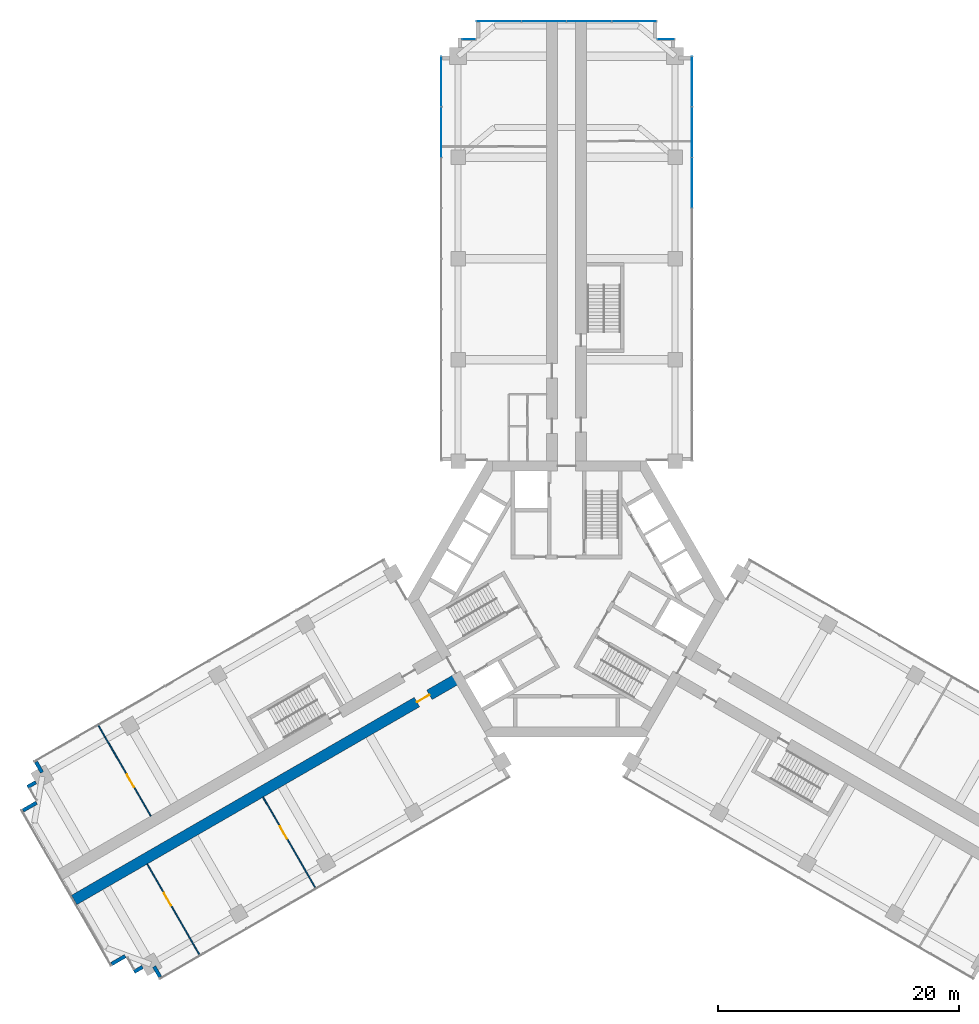
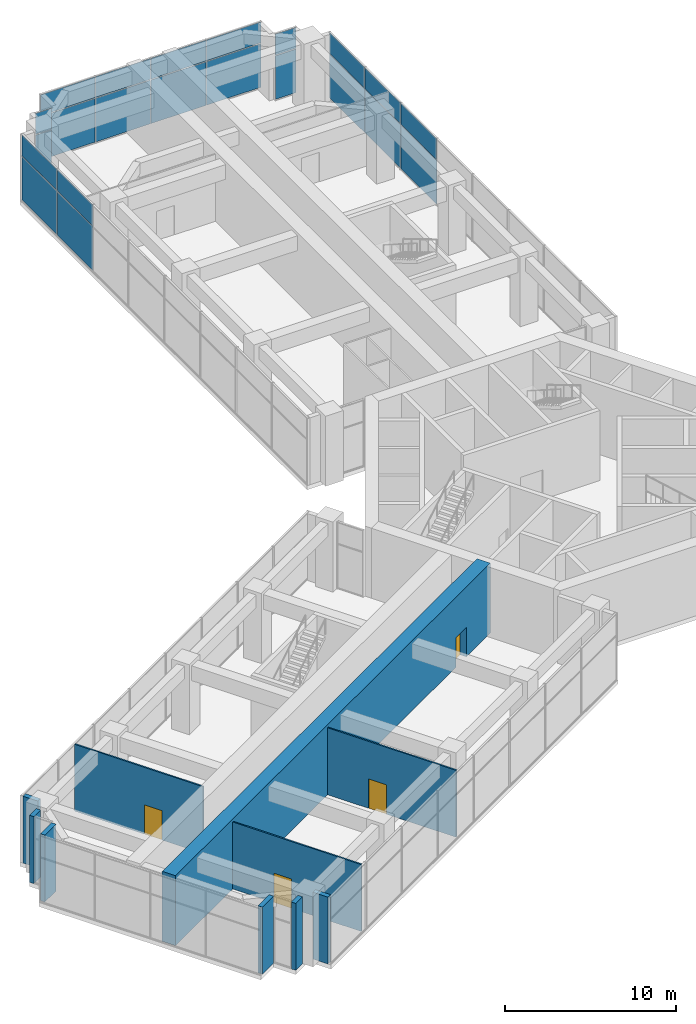
# One storey, part 15 of 20: 22 plates, 10 walls, 4 doors, 4 openings, 5 elements without a shape of their own.
"""IFC4 building model written with IfcOpenShell, lengths in metres."""

from ifc_helpers import new_model, si_unit, direction, frame, frame_2d, origin, origin_2d, place, context, subcontext, project, spatial, rectangle, extrude, material, layer, layer_set, type_object, element, fill, aggregate, save


model = new_model("IFC4")

# Units and contexts
model_context = context("Model", 3, precision=1e-05, world=origin(), true_north=direction((0.0, 1.0)))
body_context = subcontext(model_context, "Body", "Model", "MODEL_VIEW")
ifc_project = project(units=[si_unit("LENGTHUNIT", "METRE"), si_unit("AREAUNIT", "SQUARE_METRE"), si_unit("VOLUMEUNIT", "CUBIC_METRE"), si_unit("PLANEANGLEUNIT", "RADIAN"), si_unit("MASSUNIT", "GRAM", prefix="KILO")], contexts=[model_context])

# Site, building, storey
site_placement = place(None, origin())
site = spatial("IfcSite", under=ifc_project, at=site_placement, CompositionType="ELEMENT")
building_placement = place(site_placement, origin())
building = spatial("IfcBuilding", under=site, at=building_placement, Name="Impinga Residences", CompositionType="ELEMENT")
storey_placement = place(building_placement, frame((0.0, 0.0, 101.0)))
storey = spatial("IfcBuildingStorey", under=building, at=storey_placement, Name="L24", CompositionType="ELEMENT", Elevation=101.0)

# Curtain wall, plates
ifc_material_1 = material(Name="Aluminium stick curtain wall", Category="aluminium")
curtain_wall_type = type_object("IfcCurtainWallType", Name="CW2 sky amenity curtain wall", PredefinedType="USERDEFINED", material=ifc_material_1)
curtain_wall_1_placement = place(storey_placement, origin())
curtain_wall_1 = element("IfcCurtainWall", 1, at=curtain_wall_1_placement, inside=storey, type_object=curtain_wall_type, Name="Curtain wall CW2 L24", ObjectType="STICK CURTAIN WALL", PredefinedType="USERDEFINED")
ifc_material_2 = material(Name="Clear double glazing", Category="glass")
ifc_layer_1 = layer(ifc_material_2, 0.028076171875)
ifc_layer_set_1 = layer_set([ifc_layer_1], Name="CW2-P clear double glazed panel 28")
plate_type = type_object("IfcPlateType", Name="CW2-P clear double glazed panel 28", PredefinedType="CURTAIN_PANEL", material=ifc_layer_set_1)
plate_1_placement = place(storey_placement, frame((-10.39990234375, 38.7314453125, 0.06005859375), z_axis=(0.0, 0.0, 1.0), x_axis=(0.0, 1.0, 0.0)))
plate_1 = element("IfcPlate", 2, at=plate_1_placement, type_object=plate_type, Name="CW2 panel 7.1", PredefinedType="CURTAIN_PANEL", context=body_context, shape_type="SweptSolid", body=[
    extrude(rectangle(XDim=4.139892578125, YDim=0.028076171875, at=origin_2d()), origin(), (0.0, 0.0, 1.0), 3.110107421875),
])
plate_2_placement = place(storey_placement, frame((-10.39990234375, 38.7314453125, 3.22998046875), z_axis=(0.0, 0.0, 1.0), x_axis=(0.0, 1.0, 0.0)))
plate_2 = element("IfcPlate", 3, at=plate_2_placement, type_object=plate_type, Name="CW2 panel 7.2", PredefinedType="CURTAIN_PANEL", context=body_context, shape_type="SweptSolid", body=[
    extrude(rectangle(XDim=4.139892578125, YDim=0.028076171875, at=origin_2d()), origin(), (0.0, 0.0, 1.0), 1.489990234375),
])
plate_3_placement = place(storey_placement, frame((-10.39990234375, 42.91650390625, 0.06005859375), z_axis=(0.0, 0.0, 1.0), x_axis=(0.0, 1.0, 0.0)))
plate_3 = element("IfcPlate", 4, at=plate_3_placement, type_object=plate_type, Name="CW2 panel 8.1", PredefinedType="CURTAIN_PANEL", context=body_context, shape_type="SweptSolid", body=[
    extrude(rectangle(XDim=4.110107421875, YDim=0.028076171875, at=origin_2d()), origin(), (0.0, 0.0, 1.0), 3.110107421875),
])
plate_4_placement = place(storey_placement, frame((-10.39990234375, 42.91650390625, 3.22998046875), z_axis=(0.0, 0.0, 1.0), x_axis=(0.0, 1.0, 0.0)))
plate_4 = element("IfcPlate", 5, at=plate_4_placement, type_object=plate_type, Name="CW2 panel 8.2", PredefinedType="CURTAIN_PANEL", context=body_context, shape_type="SweptSolid", body=[
    extrude(rectangle(XDim=4.110107421875, YDim=0.028076171875, at=origin_2d()), origin(), (0.0, 0.0, 1.0), 1.489990234375),
])
aggregate(curtain_wall_1, [plate_1, plate_2, plate_3, plate_4])

curtain_wall_2_placement = place(storey_placement, origin())
curtain_wall_2 = element("IfcCurtainWall", 6, at=curtain_wall_2_placement, inside=storey, type_object=curtain_wall_type, Name="Curtain wall CW2 L24", ObjectType="STICK CURTAIN WALL", PredefinedType="USERDEFINED")
plate_5_placement = place(storey_placement, frame((-8.10009765625, 46.431640625, 0.06005859375), z_axis=(0.0, 0.0, 1.0), x_axis=(1.0, 0.0, 0.0)))
plate_5 = element("IfcPlate", 7, at=plate_5_placement, type_object=plate_type, Name="CW2 panel 1.1", PredefinedType="CURTAIN_PANEL", context=body_context, shape_type="SweptSolid", body=[
    extrude(rectangle(XDim=1.080078125, YDim=0.028076171875, at=origin_2d()), origin(), (0.0, 0.0, 1.0), 3.110107421875),
])
plate_6_placement = place(storey_placement, frame((-8.10009765625, 46.431640625, 3.22998046875), z_axis=(0.0, 0.0, 1.0), x_axis=(1.0, 0.0, 0.0)))
plate_6 = element("IfcPlate", 8, at=plate_6_placement, type_object=plate_type, Name="CW2 panel 1.2", PredefinedType="CURTAIN_PANEL", context=body_context, shape_type="SweptSolid", body=[
    extrude(rectangle(XDim=1.080078125, YDim=0.028076171875, at=origin_2d()), origin(), (0.0, 0.0, 1.0), 1.489990234375),
])
aggregate(curtain_wall_2, [plate_5, plate_6])

curtain_wall_3_placement = place(storey_placement, origin())
curtain_wall_3 = element("IfcCurtainWall", 9, at=curtain_wall_3_placement, inside=storey, type_object=curtain_wall_type, Name="Curtain wall CW2 L24", ObjectType="STICK CURTAIN WALL", PredefinedType="USERDEFINED")
plate_7_placement = place(storey_placement, frame((-5.610107421875, 47.931640625, 0.06005859375), z_axis=(0.0, 0.0, 1.0), x_axis=(1.0, 0.0, 0.0)))
plate_7 = element("IfcPlate", 10, at=plate_7_placement, type_object=plate_type, Name="CW2 panel 1.1", PredefinedType="CURTAIN_PANEL", context=body_context, shape_type="SweptSolid", body=[
    extrude(rectangle(XDim=3.659912109375, YDim=0.028076171875, at=origin_2d()), origin(), (0.0, 0.0, 1.0), 3.110107421875),
])
plate_8_placement = place(storey_placement, frame((-5.610107421875, 47.931640625, 3.22998046875), z_axis=(0.0, 0.0, 1.0), x_axis=(1.0, 0.0, 0.0)))
plate_8 = element("IfcPlate", 11, at=plate_8_placement, type_object=plate_type, Name="CW2 panel 1.2", PredefinedType="CURTAIN_PANEL", context=body_context, shape_type="SweptSolid", body=[
    extrude(rectangle(XDim=3.659912109375, YDim=0.028076171875, at=origin_2d()), origin(), (0.0, 0.0, 1.0), 1.489990234375),
])
plate_9_placement = place(storey_placement, frame((-1.875, 47.931640625, 0.06005859375), z_axis=(0.0, 0.0, 1.0), x_axis=(1.0, 0.0, 0.0)))
plate_9 = element("IfcPlate", 12, at=plate_9_placement, type_object=plate_type, Name="CW2 panel 2.1", PredefinedType="CURTAIN_PANEL", context=body_context, shape_type="SweptSolid", body=[
    extrude(rectangle(XDim=3.68994140625, YDim=0.028076171875, at=origin_2d()), origin(), (0.0, 0.0, 1.0), 3.110107421875),
])
plate_10_placement = place(storey_placement, frame((-1.875, 47.931640625, 3.22998046875), z_axis=(0.0, 0.0, 1.0), x_axis=(1.0, 0.0, 0.0)))
plate_10 = element("IfcPlate", 13, at=plate_10_placement, type_object=plate_type, Name="CW2 panel 2.2", PredefinedType="CURTAIN_PANEL", context=body_context, shape_type="SweptSolid", body=[
    extrude(rectangle(XDim=3.68994140625, YDim=0.028076171875, at=origin_2d()), origin(), (0.0, 0.0, 1.0), 1.489990234375),
])
plate_11_placement = place(storey_placement, frame((1.875, 47.931640625, 0.06005859375), z_axis=(0.0, 0.0, 1.0), x_axis=(1.0, 0.0, 0.0)))
plate_11 = element("IfcPlate", 14, at=plate_11_placement, type_object=plate_type, Name="CW2 panel 3.1", PredefinedType="CURTAIN_PANEL", context=body_context, shape_type="SweptSolid", body=[
    extrude(rectangle(XDim=3.68994140625, YDim=0.028076171875, at=origin_2d()), origin(), (0.0, 0.0, 1.0), 3.110107421875),
])
plate_12_placement = place(storey_placement, frame((1.875, 47.931640625, 3.22998046875), z_axis=(0.0, 0.0, 1.0), x_axis=(1.0, 0.0, 0.0)))
plate_12 = element("IfcPlate", 15, at=plate_12_placement, type_object=plate_type, Name="CW2 panel 3.2", PredefinedType="CURTAIN_PANEL", context=body_context, shape_type="SweptSolid", body=[
    extrude(rectangle(XDim=3.68994140625, YDim=0.028076171875, at=origin_2d()), origin(), (0.0, 0.0, 1.0), 1.489990234375),
])
plate_13_placement = place(storey_placement, frame((5.610107421875, 47.931640625, 0.06005859375), z_axis=(0.0, 0.0, 1.0), x_axis=(1.0, 0.0, 0.0)))
plate_13 = element("IfcPlate", 16, at=plate_13_placement, type_object=plate_type, Name="CW2 panel 4.1", PredefinedType="CURTAIN_PANEL", context=body_context, shape_type="SweptSolid", body=[
    extrude(rectangle(XDim=3.659912109375, YDim=0.028076171875, at=origin_2d()), origin(), (0.0, 0.0, 1.0), 3.110107421875),
])
plate_14_placement = place(storey_placement, frame((5.610107421875, 47.931640625, 3.22998046875), z_axis=(0.0, 0.0, 1.0), x_axis=(1.0, 0.0, 0.0)))
plate_14 = element("IfcPlate", 17, at=plate_14_placement, type_object=plate_type, Name="CW2 panel 4.2", PredefinedType="CURTAIN_PANEL", context=body_context, shape_type="SweptSolid", body=[
    extrude(rectangle(XDim=3.659912109375, YDim=0.028076171875, at=origin_2d()), origin(), (0.0, 0.0, 1.0), 1.489990234375),
])
aggregate(curtain_wall_3, [plate_7, plate_8, plate_9, plate_10, plate_11, plate_12, plate_13, plate_14])

curtain_wall_4_placement = place(storey_placement, origin())
curtain_wall_4 = element("IfcCurtainWall", 18, at=curtain_wall_4_placement, inside=storey, type_object=curtain_wall_type, Name="Curtain wall CW2 L24", ObjectType="STICK CURTAIN WALL", PredefinedType="USERDEFINED")
plate_15_placement = place(storey_placement, frame((8.25, 46.431640625, 0.06005859375), z_axis=(0.0, 0.0, 1.0), x_axis=(1.0, 0.0, 0.0)))
plate_15 = element("IfcPlate", 19, at=plate_15_placement, type_object=plate_type, Name="CW2 panel 1.1", PredefinedType="CURTAIN_PANEL", context=body_context, shape_type="SweptSolid", body=[
    extrude(rectangle(XDim=1.3798828125, YDim=0.028076171875, at=origin_2d()), origin(), (0.0, 0.0, 1.0), 3.110107421875),
])
plate_16_placement = place(storey_placement, frame((8.25, 46.431640625, 3.22998046875), z_axis=(0.0, 0.0, 1.0), x_axis=(1.0, 0.0, 0.0)))
plate_16 = element("IfcPlate", 20, at=plate_16_placement, type_object=plate_type, Name="CW2 panel 1.2", PredefinedType="CURTAIN_PANEL", context=body_context, shape_type="SweptSolid", body=[
    extrude(rectangle(XDim=1.3798828125, YDim=0.028076171875, at=origin_2d()), origin(), (0.0, 0.0, 1.0), 1.489990234375),
])
aggregate(curtain_wall_4, [plate_15, plate_16])

curtain_wall_5_placement = place(storey_placement, origin())
curtain_wall_5 = element("IfcCurtainWall", 21, at=curtain_wall_5_placement, inside=storey, type_object=curtain_wall_type, Name="Curtain wall CW2 L24", ObjectType="STICK CURTAIN WALL", PredefinedType="USERDEFINED")
plate_17_placement = place(storey_placement, frame((10.39990234375, 42.91650390625, 0.06005859375), z_axis=(0.0, 0.0, 1.0), x_axis=(0.0, -1.0, 0.0)))
plate_17 = element("IfcPlate", 22, at=plate_17_placement, type_object=plate_type, Name="CW2 panel 1.1", PredefinedType="CURTAIN_PANEL", context=body_context, shape_type="SweptSolid", body=[
    extrude(rectangle(XDim=4.110107421875, YDim=0.028076171875, at=origin_2d()), origin(), (0.0, 0.0, 1.0), 3.110107421875),
])
plate_18_placement = place(storey_placement, frame((10.39990234375, 42.91650390625, 3.22998046875), z_axis=(0.0, 0.0, 1.0), x_axis=(0.0, -1.0, 0.0)))
plate_18 = element("IfcPlate", 23, at=plate_18_placement, type_object=plate_type, Name="CW2 panel 1.2", PredefinedType="CURTAIN_PANEL", context=body_context, shape_type="SweptSolid", body=[
    extrude(rectangle(XDim=4.110107421875, YDim=0.028076171875, at=origin_2d()), origin(), (0.0, 0.0, 1.0), 1.489990234375),
])
plate_19_placement = place(storey_placement, frame((10.39990234375, 38.7314453125, 0.06005859375), z_axis=(0.0, 0.0, 1.0), x_axis=(0.0, -1.0, 0.0)))
plate_19 = element("IfcPlate", 24, at=plate_19_placement, type_object=plate_type, Name="CW2 panel 2.1", PredefinedType="CURTAIN_PANEL", context=body_context, shape_type="SweptSolid", body=[
    extrude(rectangle(XDim=4.139892578125, YDim=0.028076171875, at=origin_2d()), origin(), (0.0, 0.0, 1.0), 3.110107421875),
])
plate_20_placement = place(storey_placement, frame((10.39990234375, 38.7314453125, 3.22998046875), z_axis=(0.0, 0.0, 1.0), x_axis=(0.0, -1.0, 0.0)))
plate_20 = element("IfcPlate", 25, at=plate_20_placement, type_object=plate_type, Name="CW2 panel 2.2", PredefinedType="CURTAIN_PANEL", context=body_context, shape_type="SweptSolid", body=[
    extrude(rectangle(XDim=4.139892578125, YDim=0.028076171875, at=origin_2d()), origin(), (0.0, 0.0, 1.0), 1.489990234375),
])
plate_21_placement = place(storey_placement, frame((10.39990234375, 34.531494140625, 0.06005859375), z_axis=(0.0, 0.0, 1.0), x_axis=(0.0, -1.0, 0.0)))
plate_21 = element("IfcPlate", 26, at=plate_21_placement, type_object=plate_type, Name="CW2 panel 3.1", PredefinedType="CURTAIN_PANEL", context=body_context, shape_type="SweptSolid", body=[
    extrude(rectangle(XDim=4.139892578125, YDim=0.028076171875, at=origin_2d()), origin(), (0.0, 0.0, 1.0), 3.110107421875),
])
plate_22_placement = place(storey_placement, frame((10.39990234375, 34.531494140625, 3.22998046875), z_axis=(0.0, 0.0, 1.0), x_axis=(0.0, -1.0, 0.0)))
plate_22 = element("IfcPlate", 27, at=plate_22_placement, type_object=plate_type, Name="CW2 panel 3.2", PredefinedType="CURTAIN_PANEL", context=body_context, shape_type="SweptSolid", body=[
    extrude(rectangle(XDim=4.139892578125, YDim=0.028076171875, at=origin_2d()), origin(), (0.0, 0.0, 1.0), 1.489990234375),
])
aggregate(curtain_wall_5, [plate_17, plate_18, plate_19, plate_20, plate_21, plate_22])

# Wall, opening, door
ifc_material_3 = material(Name="Concrete C60/75", Category="concrete")
ifc_layer_2 = layer(ifc_material_3, 0.89990234375)
ifc_layer_set_2 = layer_set([ifc_layer_2], Name="Concrete C60/75")
wall_type_1 = type_object("IfcWallType", Name="BW2 corridor buttress wall, L24 to L44 900", PredefinedType="SHEAR", material=ifc_layer_set_2)
wall_1_placement = place(storey_placement, frame((-8.95361328125, -6.554931640625, 0.0), z_axis=(0.0, 0.0, 1.0), x_axis=(-0.866025667015, -0.49999954407, 0.0)))
wall_1 = element("IfcWall", 28, at=wall_1_placement, inside=storey, type_object=wall_type_1, Name="Corridor wall BW2 WC L24", PredefinedType="SHEAR", context=body_context, shape_type="SweptSolid", body=[
    extrude(rectangle(XDim=36.837890625, YDim=0.89990234375, at=frame_2d((18.4189453125, 0.0))), origin(), (0.0, 0.0, 1.0), 5.0),
])
opening_1_placement = place(wall_1_placement, frame((2.800048828125, 0.0, 0.0)))
opening_1 = element("IfcOpeningElement", 29, at=opening_1_placement, cuts=wall_1, Name="Opening D3", PredefinedType="OPENING", context=body_context, shape_type="SweptSolid", body=[
    extrude(rectangle(XDim=1.199951171875, YDim=2.10009765625, at=frame_2d((0.60009765625, 1.050048828125))), frame((0.0, 0.4599609375, 0.0), z_axis=(0.0, -1.0, 0.0), x_axis=(1.0, 0.0, 0.0)), (0.0, 0.0, 1.0), 0.919921875),
])
ifc_material_4 = material(Name="Timber door set", Category="wood")
door_type = type_object("IfcDoorType", Name="D3 room door, leaf and a half 1200x2100", OperationType="DOUBLE_SWING_LEFT", PredefinedType="DOOR", material=ifc_material_4)
door_1_placement = place(opening_1_placement, origin())
door_1 = element("IfcDoor", 30, at=door_1_placement, inside=storey, type_object=door_type, Name="Sky gymnasium door L24-WA1", OperationType="DOUBLE_SWING_LEFT", OverallHeight=2.10009765625, OverallWidth=1.199951171875, PredefinedType="DOOR", context=body_context, shape_type="SweptSolid", body=[
    extrude(rectangle(XDim=1.199951171875, YDim=2.10009765625, at=frame_2d((0.60009765625, 1.050048828125))), frame((0.0, 0.02490234375, 0.0), z_axis=(0.0, -1.0, 0.0), x_axis=(1.0, 0.0, 0.0)), (0.0, 0.0, 1.0), 0.050048828125),
])
fill(opening_1, door_1)

ifc_material_5 = material(Name="Concrete blockwork", Category="masonry")
ifc_layer_3 = layer(ifc_material_5, 0.10009765625)
ifc_layer_set_3 = layer_set([ifc_layer_3], Name="CP1 core room partition, blockwork 100")
wall_type_2 = type_object("IfcWallType", Name="CP1 core room partition, blockwork 100", PredefinedType="PARTITIONING", material=ifc_layer_set_3)
wall_2_placement = place(storey_placement, frame((-25.18310546875, -16.44482421875, 0.0), z_axis=(0.0, 0.0, 1.0), x_axis=(0.500011146402, -0.866018968311, 0.0)))
wall_2 = element("IfcWall", 31, at=wall_2_placement, inside=storey, type_object=wall_type_2, Name="Core room partition, blockwork L24-WA1:PS1", PredefinedType="PARTITIONING", context=body_context, shape_type="SweptSolid", body=[
    extrude(rectangle(XDim=8.686767578125, YDim=0.10009765625, at=frame_2d((4.34326171875, 0.0))), origin(), (0.0, 0.0, 1.0), 4.780029296875),
])
opening_2_placement = place(wall_2_placement, frame((2.77490234375, 0.0, 0.0)))
opening_2 = element("IfcOpeningElement", 32, at=opening_2_placement, cuts=wall_2, Name="Opening D3", PredefinedType="OPENING", context=body_context, shape_type="SweptSolid", body=[
    extrude(rectangle(XDim=1.199951171875, YDim=2.10009765625, at=frame_2d((0.60009765625, 1.050048828125))), frame((0.0, 0.06005859375, 0.0), z_axis=(0.0, -1.0, 0.0), x_axis=(1.0, 0.0, 0.0)), (0.0, 0.0, 1.0), 0.1201171875),
])
door_2_placement = place(opening_2_placement, origin())
door_2 = element("IfcDoor", 33, at=door_2_placement, inside=storey, type_object=door_type, Name="Gym changing room door L24-WA1", OperationType="DOUBLE_SWING_LEFT", OverallHeight=2.10009765625, OverallWidth=1.199951171875, PredefinedType="DOOR", context=body_context, shape_type="SweptSolid", body=[
    extrude(rectangle(XDim=1.199951171875, YDim=2.10009765625, at=frame_2d((0.60009765625, 1.050048828125))), frame((0.0, 0.02490234375, 0.0), z_axis=(0.0, -1.0, 0.0), x_axis=(1.0, 0.0, 0.0)), (0.0, 0.0, 1.0), 0.050048828125),
])
fill(opening_2, door_2)

wall_3_placement = place(storey_placement, frame((-34.7958984375, -21.99462890625, 0.0), z_axis=(0.0, 0.0, 1.0), x_axis=(0.499998976765, -0.866025994549, 0.0)))
wall_3 = element("IfcWall", 34, at=wall_3_placement, inside=storey, type_object=wall_type_2, Name="Core room partition, blockwork L24-WA1:PS2", PredefinedType="PARTITIONING", context=body_context, shape_type="SweptSolid", body=[
    extrude(rectangle(XDim=8.68701171875, YDim=0.10009765625, at=frame_2d((4.343505859375, 0.0))), origin(), (0.0, 0.0, 1.0), 4.780029296875),
])
opening_3_placement = place(wall_3_placement, frame((2.77490234375, 0.0, 0.0)))
opening_3 = element("IfcOpeningElement", 35, at=opening_3_placement, cuts=wall_3, Name="Opening D3", PredefinedType="OPENING", context=body_context, shape_type="SweptSolid", body=[
    extrude(rectangle(XDim=1.199951171875, YDim=2.10009765625, at=frame_2d((0.60009765625, 1.050048828125))), frame((0.0, 0.06005859375, 0.0), z_axis=(0.0, -1.0, 0.0), x_axis=(1.0, 0.0, 0.0)), (0.0, 0.0, 1.0), 0.1201171875),
])
door_3_placement = place(opening_3_placement, origin())
door_3 = element("IfcDoor", 36, at=door_3_placement, inside=storey, type_object=door_type, Name="Gym store door L24-WA1", OperationType="DOUBLE_SWING_LEFT", OverallHeight=2.10009765625, OverallWidth=1.199951171875, PredefinedType="DOOR", context=body_context, shape_type="SweptSolid", body=[
    extrude(rectangle(XDim=1.199951171875, YDim=2.10009765625, at=frame_2d((0.60009765625, 1.050048828125))), frame((0.0, 0.02490234375, 0.0), z_axis=(0.0, -1.0, 0.0), x_axis=(1.0, 0.0, 0.0)), (0.0, 0.0, 1.0), 0.050048828125),
])
fill(opening_3, door_3)

wall_4_placement = place(storey_placement, frame((-34.497314453125, -18.01171875, 0.0), z_axis=(0.0, 0.0, 1.0), x_axis=(-0.500011146402, 0.866018968311, 0.0)))
wall_4 = element("IfcWall", 37, at=wall_4_placement, inside=storey, type_object=wall_type_2, Name="Core room partition, blockwork L24-WF1:PS1", PredefinedType="PARTITIONING", context=body_context, shape_type="SweptSolid", body=[
    extrude(rectangle(XDim=8.686767578125, YDim=0.10009765625, at=frame_2d((4.34326171875, 0.0))), origin(), (0.0, 0.0, 1.0), 4.780029296875),
])
opening_4_placement = place(wall_4_placement, frame((2.77490234375, 0.0, 0.0)))
opening_4 = element("IfcOpeningElement", 38, at=opening_4_placement, cuts=wall_4, Name="Opening D3", PredefinedType="OPENING", context=body_context, shape_type="SweptSolid", body=[
    extrude(rectangle(XDim=1.199951171875, YDim=2.10009765625, at=frame_2d((0.60009765625, 1.050048828125))), frame((0.0, 0.06005859375, 0.0), z_axis=(0.0, -1.0, 0.0), x_axis=(1.0, 0.0, 0.0)), (0.0, 0.0, 1.0), 0.1201171875),
])
door_4_placement = place(opening_4_placement, origin())
door_4 = element("IfcDoor", 39, at=door_4_placement, inside=storey, type_object=door_type, Name="Studio changing room door L24-WF1", OperationType="DOUBLE_SWING_LEFT", OverallHeight=2.10009765625, OverallWidth=1.199951171875, PredefinedType="DOOR", context=body_context, shape_type="SweptSolid", body=[
    extrude(rectangle(XDim=1.199951171875, YDim=2.10009765625, at=frame_2d((0.60009765625, 1.050048828125))), frame((0.0, 0.02490234375, 0.0), z_axis=(0.0, -1.0, 0.0), x_axis=(1.0, 0.0, 0.0)), (0.0, 0.0, 1.0), 0.050048828125),
])
fill(opening_4, door_4)

# Walls
ifc_material_6 = material(Name="Stone facing on blockwork", Category="masonry")
ifc_layer_4 = layer(ifc_material_6, 0.300048828125)
ifc_layer_set_4 = layer_set([ifc_layer_4], Name="EW2 external wall, stone facing on blockwork 300")
wall_type_3 = type_object("IfcWallType", Name="EW2 external wall, stone facing on blockwork 300", PredefinedType="SOLIDWALL", material=ifc_layer_set_4)
wall_5_placement = place(storey_placement, frame((-33.716064453125, -31.365234375, 0.0), z_axis=(0.0, 0.0, 1.0), x_axis=(-0.499953773667, 0.866052090925, 0.0)))
element("IfcWall", 40, at=wall_5_placement, inside=storey, type_object=wall_type_3, Name="External wall EW2 L24", PredefinedType="SOLIDWALL", context=body_context, shape_type="SweptSolid", body=[
    extrude(rectangle(XDim=1.0048828125, YDim=0.300048828125, at=frame_2d((0.50244140625, 0.0))), origin(), (0.0, 0.0, 1.0), 4.780029296875),
])
wall_6_placement = place(storey_placement, frame((-35.182373046875, -30.531494140625, 0.0), z_axis=(0.0, 0.0, 1.0), x_axis=(-0.865915193073, -0.500190841984, 0.0)))
element("IfcWall", 41, at=wall_6_placement, inside=storey, type_object=wall_type_3, Name="External wall EW2 L24", PredefinedType="SOLIDWALL", context=body_context, shape_type="SweptSolid", body=[
    extrude(rectangle(XDim=0.797119140625, YDim=0.300048828125, at=frame_2d((0.3984375, 0.0))), origin(), (0.0, 0.0, 1.0), 4.780029296875),
])
for number, where, z_axis, x_axis, name in (
    (42, (-36.6181640625, -29.628662109375, 0.0), (0.0, 0.0, 1.0), (-0.866101796549, -0.4998676605, 0.0), "External wall EW2 L24"),
    (43, (-45.1025390625, -17.552978515625, 0.0), (0.0, 0.0, 1.0), (0.865974499684, 0.500088158126, 0.0), "External wall EW2 L24"),
):
    element("IfcWall", number, at=place(storey_placement, frame(where, z_axis=z_axis, x_axis=x_axis)), inside=storey, type_object=wall_type_3, Name=name, PredefinedType="SOLIDWALL", context=body_context, shape_type="SweptSolid", body=[
        extrude(rectangle(XDim=1.309814453125, YDim=0.300048828125, at=frame_2d((0.65478515625, 0.0))), origin(), (0.0, 0.0, 1.0), 4.780029296875),
    ])
wall_7_placement = place(storey_placement, frame((-44.722412109375, -15.6015625, 0.0), z_axis=(0.0, 0.0, 1.0), x_axis=(0.865915193073, 0.500190841984, 0.0)))
element("IfcWall", 44, at=wall_7_placement, inside=storey, type_object=wall_type_3, Name="External wall EW2 L24", PredefinedType="SOLIDWALL", context=body_context, shape_type="SweptSolid", body=[
    extrude(rectangle(XDim=0.797119140625, YDim=0.300048828125, at=frame_2d((0.3984375, 0.0))), origin(), (0.0, 0.0, 1.0), 4.780029296875),
])
wall_8_placement = place(storey_placement, frame((-43.5185546875, -14.38671875, 0.0), z_axis=(0.0, 0.0, 1.0), x_axis=(-0.499953773667, 0.866052090925, 0.0)))
element("IfcWall", 45, at=wall_8_placement, inside=storey, type_object=wall_type_3, Name="External wall EW2 L24", PredefinedType="SOLIDWALL", context=body_context, shape_type="SweptSolid", body=[
    extrude(rectangle(XDim=1.0048828125, YDim=0.300048828125, at=frame_2d((0.50244140625, 0.0))), origin(), (0.0, 0.0, 1.0), 4.780029296875),
])

save(model, "model.ifc")
